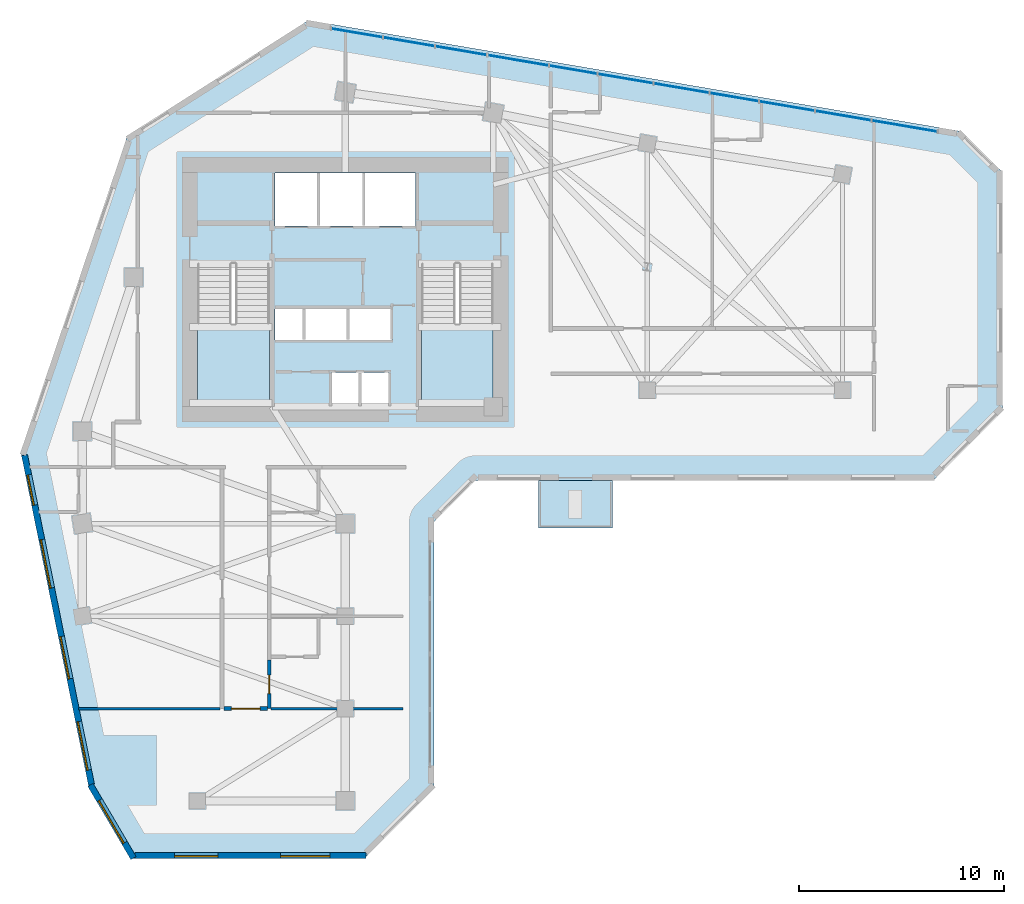
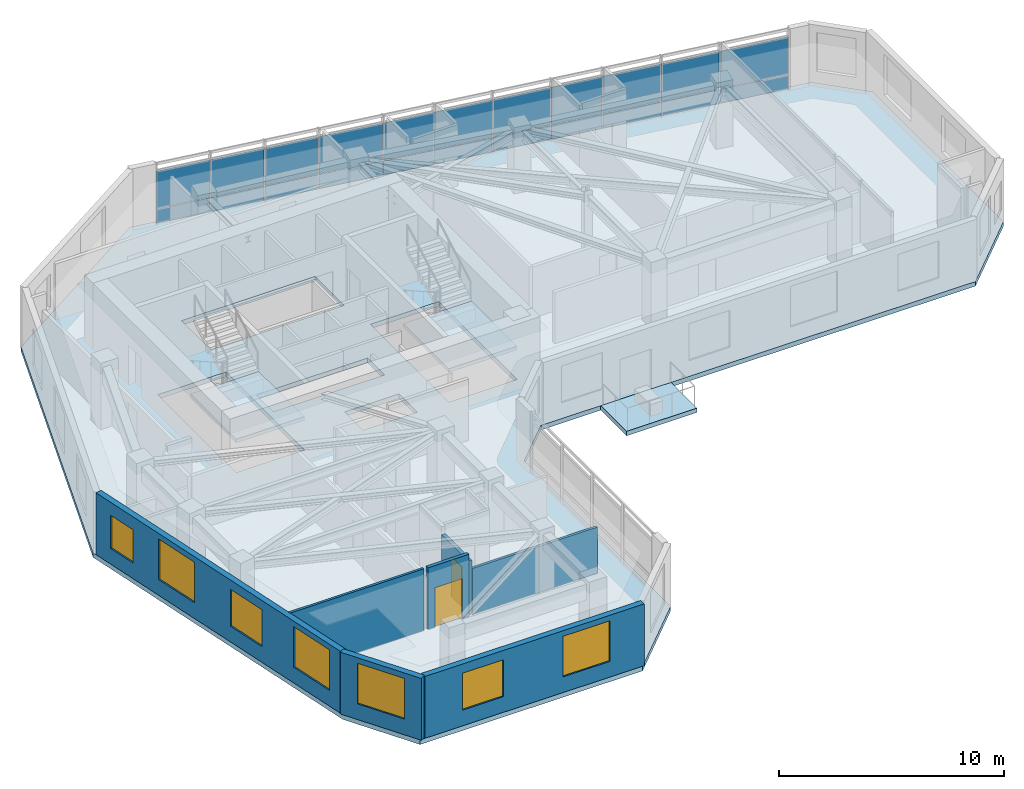
# One storey, part 4 of 11: 22 plates, 7 walls, 7 windows, 4 slabs, 2 doors, 9 openings, 3 elements without a shape of their own.
"""IFC4 building model written with IfcOpenShell, lengths in metres."""

from ifc_helpers import new_model, si_unit, direction, frame, frame_2d, origin, place, context, subcontext, project, spatial, polyline, rectangle, outline, extrude, source, transform, mapped, material, layer, layer_set, type_object, element, fill, aggregate, save


model = new_model("IFC4")

# Units and contexts
model_context = context("Model", 3, precision=1e-05, world=origin(), true_north=direction((0.0, 1.0)))
body_context = subcontext(model_context, "Body", "Model", "MODEL_VIEW")
ifc_project = project(units=[si_unit("LENGTHUNIT", "METRE"), si_unit("AREAUNIT", "SQUARE_METRE"), si_unit("VOLUMEUNIT", "CUBIC_METRE"), si_unit("PLANEANGLEUNIT", "RADIAN"), si_unit("MASSUNIT", "GRAM", prefix="KILO")], contexts=[model_context])

# Site, building, storey
site_placement = place(None, origin())
site = spatial("IfcSite", under=ifc_project, at=site_placement, CompositionType="ELEMENT")
building_placement = place(site_placement, origin())
building = spatial("IfcBuilding", under=site, at=building_placement, Name="Calvemar Wedge Station Tower", CompositionType="ELEMENT")
storey_placement = place(building_placement, frame((0.0, 0.0, 143.0)))
storey = spatial("IfcBuildingStorey", under=building, at=storey_placement, Name="L35", CompositionType="ELEMENT", Elevation=143.0)

# Curtain wall, plates
ifc_material_1 = material(Name="Anodised aluminium 6063-T6", Category="aluminium")
curtain_wall_type = type_object("IfcCurtainWallType", Name="CW2", PredefinedType="NOTDEFINED", material=ifc_material_1)
curtain_wall_placement = place(storey_placement, origin())
curtain_wall = element("IfcCurtainWall", 1, at=curtain_wall_placement, inside=storey, type_object=curtain_wall_type, Name="Storey L35 CW2 Recessed Unitised Curtain Wall 10", PredefinedType="NOTDEFINED")
ifc_material_2 = material(Name="Low-E laminated insulated glass", Category="glass")
ifc_layer_1 = layer(ifc_material_2, 0.028076171875)
ifc_layer_set_1 = layer_set([ifc_layer_1], Name="Low-E laminated insulated glass")
plate_type_1 = type_object("IfcPlateType", Name="CW2-GLZ", PredefinedType="CURTAIN_PANEL", material=ifc_layer_set_1)
plate_1_placement = place(storey_placement, frame((52.615478515625, 47.580322265625, 0.8701171875), z_axis=(0.0, 0.0, 1.0), x_axis=(-0.985833907649, 0.167724495916, 0.0)))
plate_1 = element("IfcPlate", 2, at=plate_1_placement, type_object=plate_type_1, Name="CW2 vision glass panel 1", PredefinedType="CURTAIN_PANEL", context=body_context, shape_type="SweptSolid", body=[
    extrude(rectangle(XDim=3.2373046875, YDim=0.028076171875, at=frame_2d((1.61865234375, 0.0))), origin(), (0.0, 0.0, 1.0), 2.009765625),
])
plate_2_placement = place(storey_placement, frame((49.388427734375, 48.129150390625, 0.8701171875), z_axis=(0.0, 0.0, 1.0), x_axis=(-0.985841253523, 0.167681313365, 0.0)))
plate_2 = element("IfcPlate", 3, at=plate_2_placement, type_object=plate_type_1, Name="CW2 vision glass panel 2", PredefinedType="CURTAIN_PANEL", context=body_context, shape_type="SweptSolid", body=[
    extrude(rectangle(XDim=2.7373046875, YDim=0.028076171875, at=frame_2d((1.36865234375, 0.0))), origin(), (0.0, 0.0, 1.0), 2.009765625),
])
plate_3_placement = place(storey_placement, frame((46.654541015625, 48.59423828125, 0.8701171875), z_axis=(0.0, 0.0, 1.0), x_axis=(-0.985855994039, 0.167594627051, 0.0)))
plate_3 = element("IfcPlate", 4, at=plate_3_placement, type_object=plate_type_1, Name="CW2 vision glass panel 3", PredefinedType="CURTAIN_PANEL", context=body_context, shape_type="SweptSolid", body=[
    extrude(rectangle(XDim=2.7373046875, YDim=0.028076171875, at=frame_2d((1.36865234375, 0.0))), origin(), (0.0, 0.0, 1.0), 2.009765625),
])
plate_4_placement = place(storey_placement, frame((43.92041015625, 49.05908203125, 0.8701171875), z_axis=(0.0, 0.0, 1.0), x_axis=(-0.985846595031, 0.167649906248, 0.0)))
plate_4 = element("IfcPlate", 5, at=plate_4_placement, type_object=plate_type_1, Name="CW2 vision glass panel 4", PredefinedType="CURTAIN_PANEL", context=body_context, shape_type="SweptSolid", body=[
    extrude(rectangle(XDim=2.3984375, YDim=0.028076171875, at=frame_2d((1.19921875, 0.0))), origin(), (0.0, 0.0, 1.0), 2.009765625),
])
plate_5_placement = place(storey_placement, frame((41.5205078125, 49.46728515625, 0.8701171875), z_axis=(0.0, 0.0, 1.0), x_axis=(-0.985850982189, 0.167624106012, 0.0)))
plate_5 = element("IfcPlate", 6, at=plate_5_placement, type_object=plate_type_1, Name="CW2 vision glass panel 5", PredefinedType="CURTAIN_PANEL", context=body_context, shape_type="SweptSolid", body=[
    extrude(rectangle(XDim=2.73681640625, YDim=0.028076171875, at=frame_2d((1.368408203125, 0.0))), origin(), (0.0, 0.0, 1.0), 2.009765625),
])
plate_6_placement = place(storey_placement, frame((38.786865234375, 49.93212890625, 0.8701171875), z_axis=(0.0, 0.0, 1.0), x_axis=(-0.985836236562, 0.167710806691, 0.0)))
plate_6 = element("IfcPlate", 7, at=plate_6_placement, type_object=plate_type_1, Name="CW2 vision glass panel 6", PredefinedType="CURTAIN_PANEL", context=body_context, shape_type="SweptSolid", body=[
    extrude(rectangle(XDim=2.73681640625, YDim=0.028076171875, at=frame_2d((1.368408203125, 0.0))), origin(), (0.0, 0.0, 1.0), 2.009765625),
])
plate_7_placement = place(storey_placement, frame((36.053466796875, 50.39697265625, 0.8701171875), z_axis=(0.0, 0.0, 1.0), x_axis=(-0.985834995833, 0.167718099774, 0.0)))
plate_7 = element("IfcPlate", 8, at=plate_7_placement, type_object=plate_type_1, Name="CW2 vision glass panel 7", PredefinedType="CURTAIN_PANEL", context=body_context, shape_type="SweptSolid", body=[
    extrude(rectangle(XDim=2.361083984375, YDim=0.028076171875, at=frame_2d((1.1806640625, 0.0))), origin(), (0.0, 0.0, 1.0), 2.009765625),
])
plate_8_placement = place(storey_placement, frame((33.6904296875, 50.798828125, 0.8701171875), z_axis=(0.0, 0.0, 1.0), x_axis=(-0.985846589489, 0.167649938837, 0.0)))
plate_8 = element("IfcPlate", 9, at=plate_8_placement, type_object=plate_type_1, Name="CW2 vision glass panel 8", PredefinedType="CURTAIN_PANEL", context=body_context, shape_type="SweptSolid", body=[
    extrude(rectangle(XDim=3.007080078125, YDim=0.028076171875, at=frame_2d((1.50341796875, 0.0))), origin(), (0.0, 0.0, 1.0), 2.009765625),
])
plate_9_placement = place(storey_placement, frame((30.6904296875, 51.30908203125, 0.8701171875), z_axis=(0.0, 0.0, 1.0), x_axis=(-0.985852344868, 0.167616091467, 0.0)))
plate_9 = element("IfcPlate", 10, at=plate_9_placement, type_object=plate_type_1, Name="CW2 vision glass panel 9", PredefinedType="CURTAIN_PANEL", context=body_context, shape_type="SweptSolid", body=[
    extrude(rectangle(XDim=2.534423828125, YDim=0.028076171875, at=frame_2d((1.26708984375, 0.0))), origin(), (0.0, 0.0, 1.0), 2.009765625),
])
plate_10_placement = place(storey_placement, frame((28.156494140625, 51.739990234375, 0.8701171875), z_axis=(0.0, 0.0, 1.0), x_axis=(-0.985852344868, 0.167616091467, 0.0)))
plate_10 = element("IfcPlate", 11, at=plate_10_placement, type_object=plate_type_1, Name="CW2 vision glass panel 10", PredefinedType="CURTAIN_PANEL", context=body_context, shape_type="SweptSolid", body=[
    extrude(rectangle(XDim=2.534423828125, YDim=0.028076171875, at=frame_2d((1.26708984375, 0.0))), origin(), (0.0, 0.0, 1.0), 2.009765625),
])
plate_11_placement = place(storey_placement, frame((25.622314453125, 52.1708984375, 0.8701171875), z_axis=(0.0, 0.0, 1.0), x_axis=(-0.985833712673, 0.16772564192, 0.0)))
plate_11 = element("IfcPlate", 12, at=plate_11_placement, type_object=plate_type_1, Name="CW2 vision glass panel 11", PredefinedType="CURTAIN_PANEL", context=body_context, shape_type="SweptSolid", body=[
    extrude(rectangle(XDim=2.5341796875, YDim=0.028076171875, at=frame_2d((1.26708984375, 0.0))), origin(), (0.0, 0.0, 1.0), 2.009765625),
])
ifc_material_3 = material(Name="Oxidized bronze aluminium spandrel panel 5005-H24", Category="aluminium")
ifc_layer_2 = layer(ifc_material_3, 0.0400390625)
ifc_layer_set_2 = layer_set([ifc_layer_2], Name="Oxidized bronze aluminium spandrel panel 5005-H24")
plate_type_2 = type_object("IfcPlateType", Name="CW2-SPD", PredefinedType="SHEET", material=ifc_layer_set_2)
plate_12_placement = place(storey_placement, frame((52.615478515625, 47.580322265625, 0.080078125), z_axis=(0.0, 0.0, 1.0), x_axis=(-0.985833907649, 0.167724495916, 0.0)))
plate_12 = element("IfcPlate", 13, at=plate_12_placement, type_object=plate_type_2, Name="CW2 bronze spandrel panel 1", PredefinedType="SHEET", context=body_context, shape_type="SweptSolid", body=[
    extrude(rectangle(XDim=3.2373046875, YDim=0.0400390625, at=frame_2d((1.61865234375, 0.0))), origin(), (0.0, 0.0, 1.0), 0.75),
])
plate_13_placement = place(storey_placement, frame((49.388427734375, 48.129150390625, 0.080078125), z_axis=(0.0, 0.0, 1.0), x_axis=(-0.985841253523, 0.167681313365, 0.0)))
plate_13 = element("IfcPlate", 14, at=plate_13_placement, type_object=plate_type_2, Name="CW2 bronze spandrel panel 2", PredefinedType="SHEET", context=body_context, shape_type="SweptSolid", body=[
    extrude(rectangle(XDim=2.7373046875, YDim=0.0400390625, at=frame_2d((1.36865234375, 0.0))), origin(), (0.0, 0.0, 1.0), 0.75),
])
plate_14_placement = place(storey_placement, frame((46.654541015625, 48.59423828125, 0.080078125), z_axis=(0.0, 0.0, 1.0), x_axis=(-0.985855994039, 0.167594627051, 0.0)))
plate_14 = element("IfcPlate", 15, at=plate_14_placement, type_object=plate_type_2, Name="CW2 bronze spandrel panel 3", PredefinedType="SHEET", context=body_context, shape_type="SweptSolid", body=[
    extrude(rectangle(XDim=2.7373046875, YDim=0.0400390625, at=frame_2d((1.36865234375, 0.0))), origin(), (0.0, 0.0, 1.0), 0.75),
])
plate_15_placement = place(storey_placement, frame((43.92041015625, 49.05908203125, 0.080078125), z_axis=(0.0, 0.0, 1.0), x_axis=(-0.985846595031, 0.167649906248, 0.0)))
plate_15 = element("IfcPlate", 16, at=plate_15_placement, type_object=plate_type_2, Name="CW2 bronze spandrel panel 4", PredefinedType="SHEET", context=body_context, shape_type="SweptSolid", body=[
    extrude(rectangle(XDim=2.3984375, YDim=0.0400390625, at=frame_2d((1.19921875, 0.0))), origin(), (0.0, 0.0, 1.0), 0.75),
])
plate_16_placement = place(storey_placement, frame((41.5205078125, 49.46728515625, 0.080078125), z_axis=(0.0, 0.0, 1.0), x_axis=(-0.985850982189, 0.167624106012, 0.0)))
plate_16 = element("IfcPlate", 17, at=plate_16_placement, type_object=plate_type_2, Name="CW2 bronze spandrel panel 5", PredefinedType="SHEET", context=body_context, shape_type="SweptSolid", body=[
    extrude(rectangle(XDim=2.73681640625, YDim=0.0400390625, at=frame_2d((1.368408203125, 0.0))), origin(), (0.0, 0.0, 1.0), 0.75),
])
plate_17_placement = place(storey_placement, frame((38.786865234375, 49.93212890625, 0.080078125), z_axis=(0.0, 0.0, 1.0), x_axis=(-0.985836236562, 0.167710806691, 0.0)))
plate_17 = element("IfcPlate", 18, at=plate_17_placement, type_object=plate_type_2, Name="CW2 bronze spandrel panel 6", PredefinedType="SHEET", context=body_context, shape_type="SweptSolid", body=[
    extrude(rectangle(XDim=2.73681640625, YDim=0.0400390625, at=frame_2d((1.368408203125, 0.0))), origin(), (0.0, 0.0, 1.0), 0.75),
])
plate_18_placement = place(storey_placement, frame((36.053466796875, 50.39697265625, 0.080078125), z_axis=(0.0, 0.0, 1.0), x_axis=(-0.985834995833, 0.167718099774, 0.0)))
plate_18 = element("IfcPlate", 19, at=plate_18_placement, type_object=plate_type_2, Name="CW2 bronze spandrel panel 7", PredefinedType="SHEET", context=body_context, shape_type="SweptSolid", body=[
    extrude(rectangle(XDim=2.361083984375, YDim=0.0400390625, at=frame_2d((1.1806640625, 0.0))), origin(), (0.0, 0.0, 1.0), 0.75),
])
plate_19_placement = place(storey_placement, frame((33.6904296875, 50.798828125, 0.080078125), z_axis=(0.0, 0.0, 1.0), x_axis=(-0.985846589489, 0.167649938837, 0.0)))
plate_19 = element("IfcPlate", 20, at=plate_19_placement, type_object=plate_type_2, Name="CW2 bronze spandrel panel 8", PredefinedType="SHEET", context=body_context, shape_type="SweptSolid", body=[
    extrude(rectangle(XDim=3.007080078125, YDim=0.0400390625, at=frame_2d((1.50341796875, 0.0))), origin(), (0.0, 0.0, 1.0), 0.75),
])
plate_20_placement = place(storey_placement, frame((30.6904296875, 51.30908203125, 0.080078125), z_axis=(0.0, 0.0, 1.0), x_axis=(-0.985852344868, 0.167616091467, 0.0)))
plate_20 = element("IfcPlate", 21, at=plate_20_placement, type_object=plate_type_2, Name="CW2 bronze spandrel panel 9", PredefinedType="SHEET", context=body_context, shape_type="SweptSolid", body=[
    extrude(rectangle(XDim=2.534423828125, YDim=0.0400390625, at=frame_2d((1.26708984375, 0.0))), origin(), (0.0, 0.0, 1.0), 0.75),
])
plate_21_placement = place(storey_placement, frame((28.156494140625, 51.739990234375, 0.080078125), z_axis=(0.0, 0.0, 1.0), x_axis=(-0.985852344868, 0.167616091467, 0.0)))
plate_21 = element("IfcPlate", 22, at=plate_21_placement, type_object=plate_type_2, Name="CW2 bronze spandrel panel 10", PredefinedType="SHEET", context=body_context, shape_type="SweptSolid", body=[
    extrude(rectangle(XDim=2.534423828125, YDim=0.0400390625, at=frame_2d((1.26708984375, 0.0))), origin(), (0.0, 0.0, 1.0), 0.75),
])
plate_22_placement = place(storey_placement, frame((25.622314453125, 52.1708984375, 0.080078125), z_axis=(0.0, 0.0, 1.0), x_axis=(-0.985833712673, 0.16772564192, 0.0)))
plate_22 = element("IfcPlate", 23, at=plate_22_placement, type_object=plate_type_2, Name="CW2 bronze spandrel panel 11", PredefinedType="SHEET", context=body_context, shape_type="SweptSolid", body=[
    extrude(rectangle(XDim=2.5341796875, YDim=0.0400390625, at=frame_2d((1.26708984375, 0.0))), origin(), (0.0, 0.0, 1.0), 0.75),
])
aggregate(curtain_wall, [plate_12, plate_1, plate_13, plate_2, plate_14, plate_3, plate_15, plate_4, plate_16, plate_5, plate_17, plate_6, plate_18, plate_7, plate_19, plate_8, plate_20, plate_9, plate_21, plate_10, plate_22, plate_11])

# Stair, slab
ifc_material_4 = material(Name="Concrete C45", Category="concrete")
stair_type = type_object("IfcStairType", Name="ST-TYPE-3600", PredefinedType="HALF_TURN_STAIR", material=ifc_material_4)
stair_1_placement = place(storey_placement, origin())
stair_1 = element("IfcStair", 24, at=stair_1_placement, inside=storey, type_object=stair_type, Name="L35 Pressurized Core Exit Stair ST-C1", PredefinedType="HALF_TURN_STAIR")
ifc_layer_3 = layer(ifc_material_4, 0.199951171875)
ifc_layer_set_3 = layer_set([ifc_layer_3], Name="Concrete C45")
slab_type_1 = type_object("IfcSlabType", Name="SL-STAIR-LND-200", PredefinedType="LANDING", material=ifc_layer_set_3)
slab_1_placement = place(storey_placement, frame((0.0, 0.0, 1.60009765625)))
slab_1 = element("IfcSlab", 25, at=slab_1_placement, type_object=slab_type_1, Name="ST-C1 landing 1", PredefinedType="LANDING", context=body_context, shape_type="SweptSolid", body=[
    extrude(outline(polyline([(16.60009765625, 38.25), (16.60009765625, 34.199951171875), (20.10009765625, 34.199951171875), (20.10009765625, 38.25), (16.60009765625, 38.25)])), origin(), (0.0, 0.0, 1.0), 0.199951171875),
])
aggregate(stair_1, [slab_1])

stair_2_placement = place(storey_placement, origin())
stair_2 = element("IfcStair", 26, at=stair_2_placement, inside=storey, type_object=stair_type, Name="L35 Pressurized Core Exit Stair ST-C2", PredefinedType="HALF_TURN_STAIR")
slab_2_placement = place(storey_placement, frame((0.0, 0.0, 1.60009765625)))
slab_2 = element("IfcSlab", 27, at=slab_2_placement, type_object=slab_type_1, Name="ST-C2 landing 1", PredefinedType="LANDING", context=body_context, shape_type="SweptSolid", body=[
    extrude(outline(polyline([(27.5, 38.25), (27.5, 34.199951171875), (31.0, 34.199951171875), (31.0, 38.25), (27.5, 38.25)])), origin(), (0.0, 0.0, 1.0), 0.199951171875),
])
aggregate(stair_2, [slab_2])

# Slabs
ifc_layer_4 = layer(ifc_material_4, 0.239990234375)
ifc_layer_set_4 = layer_set([ifc_layer_4], Name="Concrete C45")
slab_type_2 = type_object("IfcSlabType", Name="SL-TERR-240", PredefinedType="FLOOR", material=ifc_layer_set_4)
slab_3_placement = place(storey_placement, frame((0.0, 0.0, -0.239990234375)))
element("IfcSlab", 28, at=slab_3_placement, inside=storey, type_object=slab_type_2, Name="Storey L35 Planted Spiral Terrace Slab", PredefinedType="FLOOR", context=body_context, shape_type="SweptSolid", body=[
    extrude(outline(polyline([(33.199951171875, 30.592041015625), (33.199951171875, 28.2919921875), (36.800048828125, 28.2919921875), (36.800048828125, 30.592041015625), (33.199951171875, 30.592041015625)])), origin(), (0.0, 0.0, 1.0), 0.239990234375),
])
ifc_material_5 = material(Name="Concrete C50", Category="concrete")
ifc_layer_5 = layer(ifc_material_5, 0.25)
ifc_layer_set_5 = layer_set([ifc_layer_5], Name="Concrete C50")
slab_type_3 = type_object("IfcSlabType", Name="SL-TYP-250", PredefinedType="FLOOR", material=ifc_layer_set_5)
slab_4_placement = place(storey_placement, frame((0.0, 0.0, -0.25)))
element("IfcSlab", 29, at=slab_4_placement, inside=storey, type_object=slab_type_3, Name="Storey L35 Structural Floor Slab", PredefinedType="FLOOR", context=body_context, shape_type="SweptSolid", body=[
    extrude(outline(polyline([(8.0, 32.0), (11.327880859375, 15.60009765625), (13.327880859375, 12.199951171875), (24.72802734375, 12.199951171875), (28.1279296875, 15.60009765625), (28.1279296875, 28.592041015625), (30.1279296875, 30.592041015625), (52.39990234375, 30.592041015625), (55.800048828125, 33.991943359375), (55.800048828125, 45.592041015625), (53.800048828125, 47.592041015625), (22.0, 53.0), (13.199951171875, 47.39990234375), (8.0, 32.0)]), holes=[polyline([(24.52001953125, 35.85009765625), (24.510009765625, 35.85009765625), (23.1201171875, 35.85009765625), (23.1201171875, 34.219970703125), (24.510009765625, 34.219970703125), (24.52001953125, 34.219970703125), (25.909912109375, 34.219970703125), (25.909912109375, 35.85009765625), (24.52001953125, 35.85009765625)]), polyline([(16.60009765625, 34.199951171875), (20.10009765625, 34.199951171875), (20.10009765625, 41.14990234375), (16.60009765625, 41.14990234375), (16.60009765625, 34.199951171875)]), polyline([(27.5, 34.199951171875), (31.0, 34.199951171875), (31.0, 41.14990234375), (27.5, 41.14990234375), (27.5, 34.199951171875)]), polyline([(21.800048828125, 38.949951171875), (21.7900390625, 38.949951171875), (20.3798828125, 38.949951171875), (20.3798828125, 37.449951171875), (21.7900390625, 37.449951171875), (21.800048828125, 37.449951171875), (23.929931640625, 37.449951171875), (23.93994140625, 37.449951171875), (26.080078125, 37.449951171875), (26.080078125, 38.949951171875), (23.93994140625, 38.949951171875), (23.929931640625, 38.949951171875), (21.800048828125, 38.949951171875)]), polyline([(27.219970703125, 43.0), (27.219970703125, 45.580078125), (20.3798828125, 45.580078125), (20.3798828125, 43.0), (27.219970703125, 43.0)])]), origin(), (0.0, 0.0, 1.0), 0.25),
])

# Wall, opening, door
ifc_material_6 = material(Name="Double-stud fire-rated corridor partition")
ifc_layer_6 = layer(ifc_material_6, 0.179931640625)
ifc_layer_set_6 = layer_set([ifc_layer_6], Name="Double-stud fire-rated corridor partition")
wall_type_1 = type_object("IfcWallType", Name="W-CORR-180", PredefinedType="PARTITIONING", material=ifc_layer_set_6)
wall_1_placement = place(storey_placement, frame((20.10009765625, 21.85791015625, 0.0), z_axis=(0.0, 0.0, 1.0), x_axis=(0.0, -1.0, 0.0)))
wall_1 = element("IfcWall", 30, at=wall_1_placement, inside=storey, type_object=wall_type_1, Name="Storey L35 Interior Partition WL-L35-037", PredefinedType="PARTITIONING", context=body_context, shape_type="SweptSolid", body=[
    extrude(rectangle(XDim=2.35791015625, YDim=0.179931640625, at=frame_2d((1.178955078125, 0.0))), origin(), (0.0, 0.0, 1.0), 2.922119140625),
])
shared_shape_1 = source(origin(), body_context, "Body", "SweptSolid", [
    extrude(rectangle(XDim=0.89990234375, YDim=2.14990234375, at=frame_2d((0.449951171875, 1.074951171875))), frame((0.0, 0.10009765625, 0.0), z_axis=(0.0, -1.0, 0.0), x_axis=(1.0, 0.0, 0.0)), (0.0, 0.0, 1.0), 0.199951171875),
])
opening_1_placement = place(wall_1_placement, frame((0.72900390625, 0.0, 0.0)))
opening_1 = element("IfcOpeningElement", 31, at=opening_1_placement, cuts=wall_1, Name="Opening FD-60", PredefinedType="OPENING", context=body_context, shape_type="MappedRepresentation", body=[
    mapped(shared_shape_1, transform((0.0, 0.0, 0.0), scale=1.0)),
])
ifc_material_7 = material(Name="Fire-rated acoustic timber-core entrance door EI 60", Category="wood")
door_type_1 = type_object("IfcDoorType", Name="DR-FD60-900", OperationType="NOTDEFINED", PredefinedType="DOOR", material=ifc_material_7)
shared_shape_2 = source(origin(), body_context, "Body", "SweptSolid", [
    extrude(rectangle(XDim=0.89990234375, YDim=2.14990234375, at=frame_2d((0.449951171875, 1.074951171875))), frame((0.0, 0.02490234375, 0.0), z_axis=(0.0, -1.0, 0.0), x_axis=(1.0, 0.0, 0.0)), (0.0, 0.0, 1.0), 0.050048828125),
])
door_1_placement = place(opening_1_placement, origin())
door_1 = element("IfcDoor", 32, at=door_1_placement, inside=storey, type_object=door_type_1, Name="L35 Hotel Guest Room Door", OperationType="SINGLE_SWING_RIGHT", OverallHeight=2.14990234375, OverallWidth=0.89990234375, PredefinedType="DOOR", context=body_context, shape_type="MappedRepresentation", body=[
    mapped(shared_shape_2, transform((0.0, 0.0, 0.0), scale=1.0)),
])
fill(opening_1, door_1)

wall_2_placement = place(storey_placement, frame((20.006103515625, 19.5, 0.0), z_axis=(0.0, 0.0, 1.0), x_axis=(-1.0, 0.0, 0.0)))
wall_2 = element("IfcWall", 33, at=wall_2_placement, inside=storey, type_object=wall_type_1, Name="Storey L35 Interior Partition WL-L35-038", PredefinedType="PARTITIONING", context=body_context, shape_type="SweptSolid", body=[
    extrude(rectangle(XDim=2.112060546875, YDim=0.179931640625, at=frame_2d((1.05615234375, 0.0))), origin(), (0.0, 0.0, 1.0), 3.35009765625),
])
shared_shape_3 = source(origin(), body_context, "Body", "SweptSolid", [
    extrude(rectangle(XDim=1.39990234375, YDim=2.14990234375, at=frame_2d((0.699951171875, 1.074951171875))), frame((0.0, 0.10009765625, 0.0), z_axis=(0.0, -1.0, 0.0), x_axis=(1.0, 0.0, 0.0)), (0.0, 0.0, 1.0), 0.199951171875),
])
opening_2_placement = place(wall_2_placement, frame((0.35595703125, 0.0, 0.0)))
opening_2 = element("IfcOpeningElement", 34, at=opening_2_placement, cuts=wall_2, Name="Opening DD-140", PredefinedType="OPENING", context=body_context, shape_type="MappedRepresentation", body=[
    mapped(shared_shape_3, transform((0.0, 0.0, 0.0), scale=1.0)),
])
ifc_material_8 = material(Name="Double-leaf corridor acoustic fire door EI 60")
door_type_2 = type_object("IfcDoorType", Name="DR-DBL-1400", OperationType="DOUBLE_DOOR_SINGLE_SWING", PredefinedType="DOOR", material=ifc_material_8)
shared_shape_4 = source(origin(), body_context, "Body", "SweptSolid", [
    extrude(rectangle(XDim=1.39990234375, YDim=2.14990234375, at=frame_2d((0.699951171875, 1.074951171875))), frame((0.0, 0.02490234375, 0.0), z_axis=(0.0, -1.0, 0.0), x_axis=(1.0, 0.0, 0.0)), (0.0, 0.0, 1.0), 0.050048828125),
])
door_2_placement = place(opening_2_placement, origin())
door_2 = element("IfcDoor", 35, at=door_2_placement, inside=storey, type_object=door_type_2, Name="L35 Hotel Terrace Dining Room Door", OperationType="SINGLE_SWING_LEFT", OverallHeight=2.14990234375, OverallWidth=1.39990234375, PredefinedType="DOOR", context=body_context, shape_type="MappedRepresentation", body=[
    mapped(shared_shape_4, transform((0.0, 0.0, 0.0), scale=1.0)),
])
fill(opening_2, door_2)

# Wall, opening, window
ifc_material_9 = material(Name="Precast concrete C45", Category="concrete")
ifc_layer_7 = layer(ifc_material_9, 0.300048828125)
ifc_layer_set_7 = layer_set([ifc_layer_7], Name="Precast concrete C45")
wall_type_2 = type_object("IfcWallType", Name="W-EXT-GFRC-300", PredefinedType="SOLIDWALL", material=ifc_layer_set_7)
wall_3_placement = place(storey_placement, frame((11.39404296875, 15.78369140625, 0.0), z_axis=(0.0, 0.0, 1.0), x_axis=(0.50698915279, -0.861952434275, 0.0)))
wall_3 = element("IfcWall", 36, at=wall_3_placement, inside=storey, type_object=wall_type_2, Name="Storey L35 Bronze GFRC Exterior Wall 1", PredefinedType="SOLIDWALL", context=body_context, shape_type="SweptSolid", body=[
    extrude(rectangle(XDim=4.133544921875, YDim=0.300048828125, at=frame_2d((2.06689453125, 0.0))), origin(), (0.0, 0.0, 1.0), 3.35009765625),
])
shared_shape_5 = source(origin(), body_context, "Body", "SweptSolid", [
    extrude(rectangle(XDim=2.39990234375, YDim=2.199951171875, at=frame_2d((1.199951171875, 1.10009765625))), frame((0.0, 0.16015625, 0.0), z_axis=(0.0, -1.0, 0.0), x_axis=(1.0, 0.0, 0.0)), (0.0, 0.0, 1.0), 0.320068359375),
])
opening_3_placement = place(wall_3_placement, frame((0.866943359375, 0.0, 0.85009765625)))
opening_3 = element("IfcOpeningElement", 37, at=opening_3_placement, cuts=wall_3, Name="Opening W1", PredefinedType="OPENING", context=body_context, shape_type="MappedRepresentation", body=[
    mapped(shared_shape_5, transform((0.0, 0.0, 0.0), scale=1.0)),
])
window_type_1 = type_object("IfcWindowType", Name="WIN-EXT-1", PartitioningType="SINGLE_PANEL", PredefinedType="WINDOW", material=ifc_material_2)
shared_shape_6 = source(origin(), body_context, "Body", "SweptSolid", [
    extrude(rectangle(XDim=2.39990234375, YDim=2.199951171875, at=frame_2d((1.199951171875, 1.10009765625))), frame((0.0, -0.014892578125, 0.0), z_axis=(0.0, -1.0, 0.0), x_axis=(1.0, 0.0, 0.0)), (0.0, 0.0, 1.0), 0.06005859375),
])
window_1_placement = place(opening_3_placement, origin())
window_1 = element("IfcWindow", 38, at=window_1_placement, inside=storey, type_object=window_type_1, Name="Storey L35 Recessed Window 1.1", OverallHeight=2.199951171875, OverallWidth=2.39990234375, PartitioningType="SINGLE_PANEL", PredefinedType="WINDOW", context=body_context, shape_type="MappedRepresentation", body=[
    mapped(shared_shape_6, transform((0.0, 0.0, 0.0), scale=1.0)),
])
fill(opening_3, window_1)

# Wall, openings, windows
wall_4_placement = place(storey_placement, frame((13.57373046875, 12.35009765625, 0.0), z_axis=(0.0, 0.0, 1.0), x_axis=(1.0, 0.0, 0.0)))
wall_4 = element("IfcWall", 39, at=wall_4_placement, inside=storey, type_object=wall_type_2, Name="Storey L35 Bronze GFRC Exterior Wall 2", PredefinedType="SOLIDWALL", context=body_context, shape_type="SweptSolid", body=[
    extrude(rectangle(XDim=11.2421875, YDim=0.300048828125, at=frame_2d((5.62109375, 0.0))), origin(), (0.0, 0.0, 1.0), 3.35009765625),
])
shared_shape_7 = source(origin(), body_context, "Body", "SweptSolid", [
    extrude(rectangle(XDim=2.10009765625, YDim=2.0, at=frame_2d((1.050048828125, 1.0))), frame((0.0, 0.16015625, 0.0), z_axis=(0.0, -1.0, 0.0), x_axis=(1.0, 0.0, 0.0)), (0.0, 0.0, 1.0), 0.320068359375),
])
opening_4_placement = place(wall_4_placement, frame((1.9208984375, 0.0, 0.85009765625)))
opening_4 = element("IfcOpeningElement", 40, at=opening_4_placement, cuts=wall_4, Name="Opening W4", PredefinedType="OPENING", context=body_context, shape_type="MappedRepresentation", body=[
    mapped(shared_shape_7, transform((0.0, 0.0, 0.0), scale=1.0)),
])
opening_5_placement = place(wall_4_placement, frame((7.072021484375, 0.0, 0.85009765625)))
opening_5 = element("IfcOpeningElement", 41, at=opening_5_placement, cuts=wall_4, Name="Opening W1", PredefinedType="OPENING", context=body_context, shape_type="MappedRepresentation", body=[
    mapped(shared_shape_5, transform((0.0, 0.0, 0.0), scale=1.0)),
])
window_type_2 = type_object("IfcWindowType", Name="WIN-EXT-4", PartitioningType="SINGLE_PANEL", PredefinedType="WINDOW", material=ifc_material_2)
shared_shape_8 = source(origin(), body_context, "Body", "SweptSolid", [
    extrude(rectangle(XDim=2.10009765625, YDim=2.0, at=frame_2d((1.050048828125, 1.0))), frame((0.0, -0.014892578125, 0.0), z_axis=(0.0, -1.0, 0.0), x_axis=(1.0, 0.0, 0.0)), (0.0, 0.0, 1.0), 0.06005859375),
])
window_2_placement = place(opening_4_placement, origin())
window_2 = element("IfcWindow", 42, at=window_2_placement, inside=storey, type_object=window_type_2, Name="Storey L35 Recessed Window 2.1", OverallHeight=2.0, OverallWidth=2.10009765625, PartitioningType="SINGLE_PANEL", PredefinedType="WINDOW", context=body_context, shape_type="MappedRepresentation", body=[
    mapped(shared_shape_8, transform((0.0, 0.0, 0.0), scale=1.0)),
])
fill(opening_4, window_2)
window_3_placement = place(opening_5_placement, origin())
window_3 = element("IfcWindow", 43, at=window_3_placement, inside=storey, type_object=window_type_1, Name="Storey L35 Recessed Window 2.2", OverallHeight=2.199951171875, OverallWidth=2.39990234375, PartitioningType="SINGLE_PANEL", PredefinedType="WINDOW", context=body_context, shape_type="MappedRepresentation", body=[
    mapped(shared_shape_6, transform((0.0, 0.0, 0.0), scale=1.0)),
])
fill(opening_5, window_3)

wall_5_placement = place(storey_placement, frame((8.186767578125, 31.833740234375, 0.0), z_axis=(0.0, 0.0, 1.0), x_axis=(0.198869838988, -0.980025911464, 0.0)))
wall_5 = element("IfcWall", 44, at=wall_5_placement, inside=storey, type_object=wall_type_2, Name="Storey L35 Bronze GFRC Exterior Wall 13", PredefinedType="SOLIDWALL", context=body_context, shape_type="SweptSolid", body=[
    extrude(rectangle(XDim=16.36328125, YDim=0.300048828125, at=frame_2d((8.181640625, 0.0))), origin(), (0.0, 0.0, 1.0), 3.35009765625),
])
shared_shape_9 = source(origin(), body_context, "Body", "SweptSolid", [
    extrude(rectangle(XDim=1.5, YDim=1.800048828125, at=frame_2d((0.75, 0.89990234375))), frame((0.0, 0.16015625, 0.0), z_axis=(0.0, -1.0, 0.0), x_axis=(1.0, 0.0, 0.0)), (0.0, 0.0, 1.0), 0.320068359375),
])
opening_6_placement = place(wall_5_placement, frame((0.98095703125, 0.0, 0.85009765625)))
opening_6 = element("IfcOpeningElement", 45, at=opening_6_placement, cuts=wall_5, Name="Opening W3", PredefinedType="OPENING", context=body_context, shape_type="MappedRepresentation", body=[
    mapped(shared_shape_9, transform((0.0, 0.0, 0.0), scale=1.0)),
])
opening_7_placement = place(wall_5_placement, frame((4.195068359375, 0.0, 0.85009765625)))
opening_7 = element("IfcOpeningElement", 46, at=opening_7_placement, cuts=wall_5, Name="Opening W1", PredefinedType="OPENING", context=body_context, shape_type="MappedRepresentation", body=[
    mapped(shared_shape_5, transform((0.0, 0.0, 0.0), scale=1.0)),
])
opening_8_placement = place(wall_5_placement, frame((9.007080078125, 0.0, 0.85009765625)))
opening_8 = element("IfcOpeningElement", 47, at=opening_8_placement, cuts=wall_5, Name="Opening W4", PredefinedType="OPENING", context=body_context, shape_type="MappedRepresentation", body=[
    mapped(shared_shape_7, transform((0.0, 0.0, 0.0), scale=1.0)),
])
opening_9_placement = place(wall_5_placement, frame((13.236083984375, 0.0, 0.85009765625)))
opening_9 = element("IfcOpeningElement", 48, at=opening_9_placement, cuts=wall_5, Name="Opening W1", PredefinedType="OPENING", context=body_context, shape_type="MappedRepresentation", body=[
    mapped(shared_shape_5, transform((0.0, 0.0, 0.0), scale=1.0)),
])
window_4_placement = place(opening_8_placement, origin())
window_4 = element("IfcWindow", 49, at=window_4_placement, inside=storey, type_object=window_type_2, Name="Storey L35 Recessed Window 13.3", OverallHeight=2.0, OverallWidth=2.10009765625, PartitioningType="SINGLE_PANEL", PredefinedType="WINDOW", context=body_context, shape_type="MappedRepresentation", body=[
    mapped(shared_shape_8, transform((0.0, 0.0, 0.0), scale=1.0)),
])
fill(opening_8, window_4)
window_5_placement = place(opening_7_placement, origin())
window_5 = element("IfcWindow", 50, at=window_5_placement, inside=storey, type_object=window_type_1, Name="Storey L35 Recessed Window 13.2", OverallHeight=2.199951171875, OverallWidth=2.39990234375, PartitioningType="SINGLE_PANEL", PredefinedType="WINDOW", context=body_context, shape_type="MappedRepresentation", body=[
    mapped(shared_shape_6, transform((0.0, 0.0, 0.0), scale=1.0)),
])
fill(opening_7, window_5)
window_6_placement = place(opening_9_placement, origin())
window_6 = element("IfcWindow", 51, at=window_6_placement, inside=storey, type_object=window_type_1, Name="Storey L35 Recessed Window 13.4", OverallHeight=2.199951171875, OverallWidth=2.39990234375, PartitioningType="SINGLE_PANEL", PredefinedType="WINDOW", context=body_context, shape_type="MappedRepresentation", body=[
    mapped(shared_shape_6, transform((0.0, 0.0, 0.0), scale=1.0)),
])
fill(opening_9, window_6)
window_type_3 = type_object("IfcWindowType", Name="WIN-EXT-3", PartitioningType="SINGLE_PANEL", PredefinedType="WINDOW", material=ifc_material_2)
shared_shape_10 = source(origin(), body_context, "Body", "SweptSolid", [
    extrude(rectangle(XDim=1.5, YDim=1.800048828125, at=frame_2d((0.75, 0.89990234375))), frame((0.0, -0.014892578125, 0.0), z_axis=(0.0, -1.0, 0.0), x_axis=(1.0, 0.0, 0.0)), (0.0, 0.0, 1.0), 0.06005859375),
])
window_7_placement = place(opening_6_placement, origin())
window_7 = element("IfcWindow", 52, at=window_7_placement, inside=storey, type_object=window_type_3, Name="Storey L35 Recessed Window 13.1", OverallHeight=1.800048828125, OverallWidth=1.5, PartitioningType="SINGLE_PANEL", PredefinedType="WINDOW", context=body_context, shape_type="MappedRepresentation", body=[
    mapped(shared_shape_10, transform((0.0, 0.0, 0.0), scale=1.0)),
])
fill(opening_6, window_7)

# Walls
ifc_material_10 = material(Name="Insulated acoustic gypsum stud partition")
ifc_layer_8 = layer(ifc_material_10, 0.125)
ifc_layer_set_8 = layer_set([ifc_layer_8], Name="Insulated acoustic gypsum stud partition")
wall_type_3 = type_object("IfcWallType", Name="W-PART-125", PredefinedType="PARTITIONING", material=ifc_layer_set_8)
wall_6_placement = place(storey_placement, frame((17.7060546875, 19.5, 0.0), z_axis=(0.0, 0.0, 1.0), x_axis=(-1.0, 0.0, 0.0)))
element("IfcWall", 53, at=wall_6_placement, inside=storey, type_object=wall_type_3, Name="Storey L35 Interior Partition WL-L35-041", PredefinedType="PARTITIONING", context=body_context, shape_type="SweptSolid", body=[
    extrude(rectangle(XDim=6.899169921875, YDim=0.125, at=frame_2d((3.44970703125, 0.0))), origin(), (0.0, 0.0, 1.0), 3.35009765625),
])
wall_7_placement = place(storey_placement, frame((26.60009765625, 19.5, 0.0), z_axis=(0.0, 0.0, 1.0), x_axis=(-1.0, 0.0, 0.0)))
element("IfcWall", 54, at=wall_7_placement, inside=storey, type_object=wall_type_3, Name="Storey L35 Interior Partition WL-L35-048", PredefinedType="PARTITIONING", context=body_context, shape_type="SweptSolid", body=[
    extrude(rectangle(XDim=6.406005859375, YDim=0.125, at=frame_2d((3.203125, 0.0))), origin(), (0.0, 0.0, 1.0), 2.491943359375),
])

save(model, "model.ifc")
